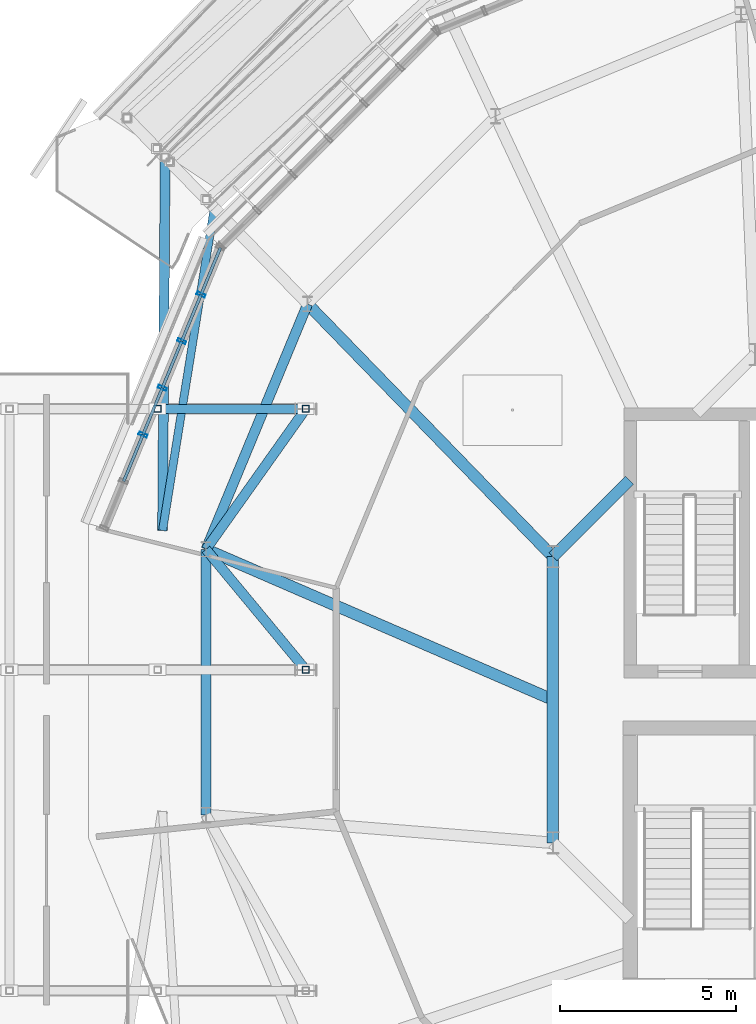
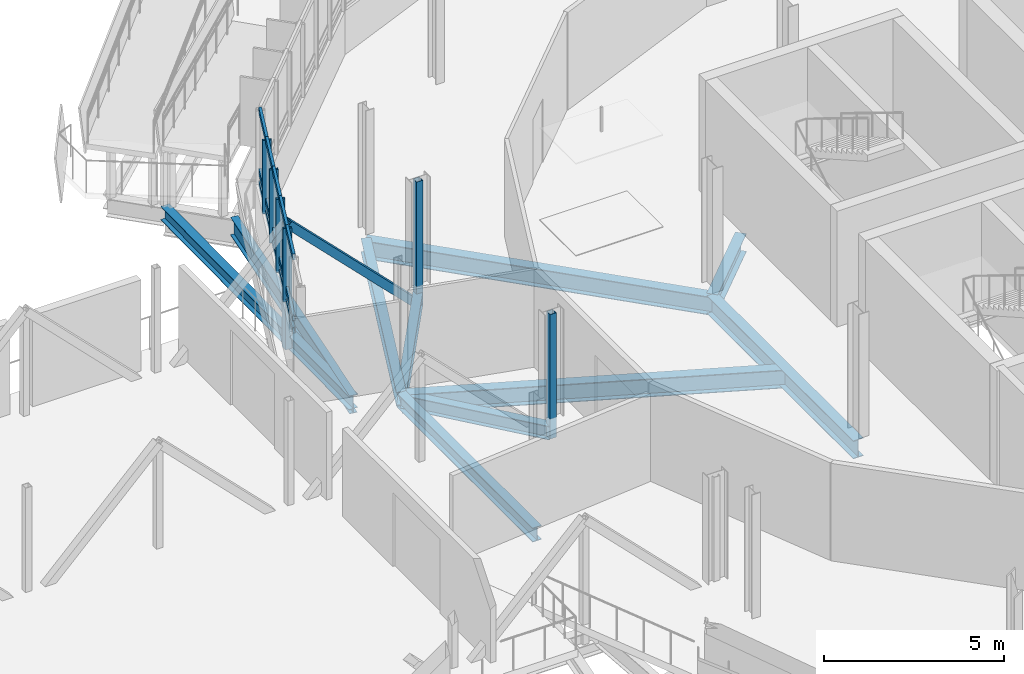
# One storey, part 43 of 107: 23 members, 10 beams, 1 element without a shape of its own.
"""IFC4 building model written with IfcOpenShell, lengths in metres."""

from ifc_helpers import new_model, si_unit, derived_unit, direction, frame, origin, origin_2d, place, context, subcontext, project, spatial, hollow_rectangle, i_section, extrude, material, layer, layer_set, material_profile, profile_set, type_object, element, aggregate, save


model = new_model("IFC4")

# Units and contexts
model_context = context("Model", 3, precision=1e-05, world=origin(), true_north=direction((0.0, 1.0)))
body_context = subcontext(model_context, "Body", "Model", "MODEL_VIEW")
ifc_project = project(units=[si_unit("LENGTHUNIT", "METRE"), si_unit("AREAUNIT", "SQUARE_METRE"), si_unit("VOLUMEUNIT", "CUBIC_METRE"), si_unit("PLANEANGLEUNIT", "RADIAN"), si_unit("MASSUNIT", "GRAM", prefix="KILO"), derived_unit("THERMALTRANSMITTANCEUNIT", [(si_unit("MASSUNIT", "GRAM", prefix="KILO"), 1), (si_unit("TIMEUNIT", "SECOND"), -3), (si_unit("THERMODYNAMICTEMPERATUREUNIT", "KELVIN"), -1)])], contexts=[model_context])

# Site, building, storey
site_placement = place(None, origin())
site = spatial("IfcSite", under=ifc_project, at=site_placement, CompositionType="ELEMENT")
building_placement = place(site_placement, origin())
building = spatial("IfcBuilding", under=site, at=building_placement, Name="Makaiwela Harbour Ferry Terminal", CompositionType="ELEMENT")
storey_placement = place(building_placement, frame((0.0, 0.0, 9.60009765625)))
storey = spatial("IfcBuildingStorey", under=building, at=storey_placement, Name="L02", CompositionType="ELEMENT", Elevation=9.60009765625)

# Curtain wall, members
ifc_material_1 = material(Name="Marine anodised aluminium 6063-T6", Category="aluminium")
ifc_layer = layer(ifc_material_1, 0.199951171875)
ifc_layer_set = layer_set([ifc_layer], Name="Marine anodised aluminium 6063-T6")
curtain_wall_type = type_object("IfcCurtainWallType", Name="ENV-CW-04", PredefinedType="USERDEFINED", material=ifc_layer_set)
curtain_wall_placement = place(storey_placement, origin())
curtain_wall = element("IfcCurtainWall", 1, at=curtain_wall_placement, inside=storey, type_object=curtain_wall_type, Name="Unitised Curtain Wall CWA-024", ObjectType="UNITIZED CURTAIN WALL", PredefinedType="USERDEFINED")
ifc_material_profile_1 = material_profile(ifc_material_1, hollow_rectangle(XDim=0.0849609375, YDim=0.25, WallThickness=0.0048828125, at=origin_2d()), Name="CWM-250X85")
ifc_profile_set_1 = profile_set([ifc_material_profile_1], Name="Marine anodised aluminium 6063-T6")
member_type_1 = type_object("IfcMemberType", Name="CW-MUL-250", PredefinedType="MULLION", material=ifc_profile_set_1)
member_1_placement = place(storey_placement, frame((18.03125, 79.09130859375, 1.47998046875), z_axis=(0.0, 0.0, 1.0), x_axis=(0.382683432365, 0.923879532511, 0.0)))
member_1 = element("IfcMember", 2, at=member_1_placement, type_object=member_type_1, Name="Curtain Wall Mullion CWA-024-2", PredefinedType="MULLION", context=body_context, shape_type="SweptSolid", body=[
    extrude(hollow_rectangle(XDim=0.0849609375, YDim=0.25, WallThickness=0.0048828125, at=origin_2d()), origin(), (0.0, 0.0, 1.0), 2.47998046875),
])
member_2_placement = place(storey_placement, frame((17.482666015625, 77.766845703125, 1.47998046875), z_axis=(0.0, 0.0, 1.0), x_axis=(0.382683432365, 0.923879532511, 0.0)))
member_2 = element("IfcMember", 3, at=member_2_placement, type_object=member_type_1, Name="Curtain Wall Mullion CWA-024-3", PredefinedType="MULLION", context=body_context, shape_type="SweptSolid", body=[
    extrude(hollow_rectangle(XDim=0.0849609375, YDim=0.25, WallThickness=0.0048828125, at=origin_2d()), origin(), (0.0, 0.0, 1.0), 2.47998046875),
])
member_3_placement = place(storey_placement, frame((16.93408203125, 76.4423828125, 1.47998046875), z_axis=(0.0, 0.0, 1.0), x_axis=(0.382683432365, 0.923879532511, 0.0)))
member_3 = element("IfcMember", 4, at=member_3_placement, type_object=member_type_1, Name="Curtain Wall Mullion CWA-024-4", PredefinedType="MULLION", context=body_context, shape_type="SweptSolid", body=[
    extrude(hollow_rectangle(XDim=0.0849609375, YDim=0.25, WallThickness=0.0048828125, at=origin_2d()), origin(), (0.0, 0.0, 1.0), 2.47998046875),
])
member_4_placement = place(storey_placement, frame((16.385498046875, 75.117919921875, 1.47998046875), z_axis=(0.0, 0.0, 1.0), x_axis=(0.382683432365, 0.923879532511, 0.0)))
member_4 = element("IfcMember", 5, at=member_4_placement, type_object=member_type_1, Name="Curtain Wall Mullion CWA-024-5", PredefinedType="MULLION", context=body_context, shape_type="SweptSolid", body=[
    extrude(hollow_rectangle(XDim=0.0849609375, YDim=0.25, WallThickness=0.0048828125, at=origin_2d()), origin(), (0.0, 0.0, 1.0), 2.47998046875),
])
ifc_material_profile_2 = material_profile(ifc_material_1, hollow_rectangle(XDim=0.0849609375, YDim=0.199951171875, WallThickness=0.0048828125, at=origin_2d()), Name="CWT-200X85")
ifc_profile_set_2 = profile_set([ifc_material_profile_2], Name="Marine anodised aluminium 6063-T6")
member_type_2 = type_object("IfcMemberType", Name="CW-TRN-200", PredefinedType="USERDEFINED", material=ifc_profile_set_2)
member_5_placement = place(storey_placement, frame((18.579833984375, 80.416015625, 1.47998046875), z_axis=(-0.382607449574, -0.923911001953, 0.0), x_axis=(0.923911001953, -0.382607449574, 0.0)))
member_5 = element("IfcMember", 6, at=member_5_placement, type_object=member_type_2, Name="Curtain Wall Transom CWA-024-1-1", ObjectType="TRANSOM", PredefinedType="USERDEFINED", context=body_context, shape_type="SweptSolid", body=[
    extrude(hollow_rectangle(XDim=0.0849609375, YDim=0.199951171875, WallThickness=0.0048828125, at=origin_2d()), origin(), (0.0, 0.0, 1.0), 1.433837890625),
])
member_6_placement = place(storey_placement, frame((18.579833984375, 80.416015625, 1.89990234375), z_axis=(-0.382607449574, -0.923911001953, 0.0), x_axis=(0.923911001953, -0.382607449574, 0.0)))
member_6 = element("IfcMember", 7, at=member_6_placement, type_object=member_type_2, Name="Curtain Wall Transom CWA-024-1-2", ObjectType="TRANSOM", PredefinedType="USERDEFINED", context=body_context, shape_type="SweptSolid", body=[
    extrude(hollow_rectangle(XDim=0.0849609375, YDim=0.199951171875, WallThickness=0.0048828125, at=origin_2d()), origin(), (0.0, 0.0, 1.0), 1.433837890625),
])
member_7_placement = place(storey_placement, frame((18.579833984375, 80.416015625, 3.9599609375), z_axis=(-0.382607449574, -0.923911001953, 0.0), x_axis=(0.923911001953, -0.382607449574, 0.0)))
member_7 = element("IfcMember", 8, at=member_7_placement, type_object=member_type_2, Name="Curtain Wall Transom CWA-024-1-3", ObjectType="TRANSOM", PredefinedType="USERDEFINED", context=body_context, shape_type="SweptSolid", body=[
    extrude(hollow_rectangle(XDim=0.0849609375, YDim=0.199951171875, WallThickness=0.0048828125, at=origin_2d()), origin(), (0.0, 0.0, 1.0), 1.433837890625),
])
member_8_placement = place(storey_placement, frame((18.03125, 79.09130859375, 1.47998046875), z_axis=(-0.382667649558, -0.923886069806, 0.0), x_axis=(0.923886069806, -0.382667649558, 0.0)))
member_8 = element("IfcMember", 9, at=member_8_placement, type_object=member_type_2, Name="Curtain Wall Transom CWA-024-2-1", ObjectType="TRANSOM", PredefinedType="USERDEFINED", context=body_context, shape_type="SweptSolid", body=[
    extrude(hollow_rectangle(XDim=0.0849609375, YDim=0.199951171875, WallThickness=0.0048828125, at=origin_2d()), origin(), (0.0, 0.0, 1.0), 1.43359375),
])
member_9_placement = place(storey_placement, frame((18.03125, 79.09130859375, 1.89990234375), z_axis=(-0.382667649558, -0.923886069806, 0.0), x_axis=(0.923886069806, -0.382667649558, 0.0)))
member_9 = element("IfcMember", 10, at=member_9_placement, type_object=member_type_2, Name="Curtain Wall Transom CWA-024-2-2", ObjectType="TRANSOM", PredefinedType="USERDEFINED", context=body_context, shape_type="SweptSolid", body=[
    extrude(hollow_rectangle(XDim=0.0849609375, YDim=0.199951171875, WallThickness=0.0048828125, at=origin_2d()), origin(), (0.0, 0.0, 1.0), 1.43359375),
])
member_10_placement = place(storey_placement, frame((18.03125, 79.09130859375, 3.9599609375), z_axis=(-0.382667649558, -0.923886069806, 0.0), x_axis=(0.923886069806, -0.382667649558, 0.0)))
member_10 = element("IfcMember", 11, at=member_10_placement, type_object=member_type_2, Name="Curtain Wall Transom CWA-024-2-3", ObjectType="TRANSOM", PredefinedType="USERDEFINED", context=body_context, shape_type="SweptSolid", body=[
    extrude(hollow_rectangle(XDim=0.0849609375, YDim=0.199951171875, WallThickness=0.0048828125, at=origin_2d()), origin(), (0.0, 0.0, 1.0), 1.43359375),
])
member_11_placement = place(storey_placement, frame((17.482666015625, 77.766845703125, 1.47998046875), z_axis=(-0.382667649558, -0.923886069806, 0.0), x_axis=(0.923886069806, -0.382667649558, 0.0)))
member_11 = element("IfcMember", 12, at=member_11_placement, type_object=member_type_2, Name="Curtain Wall Transom CWA-024-3-1", ObjectType="TRANSOM", PredefinedType="USERDEFINED", context=body_context, shape_type="SweptSolid", body=[
    extrude(hollow_rectangle(XDim=0.0849609375, YDim=0.199951171875, WallThickness=0.0048828125, at=origin_2d()), origin(), (0.0, 0.0, 1.0), 1.43359375),
])
member_12_placement = place(storey_placement, frame((17.482666015625, 77.766845703125, 1.89990234375), z_axis=(-0.382667649558, -0.923886069806, 0.0), x_axis=(0.923886069806, -0.382667649558, 0.0)))
member_12 = element("IfcMember", 13, at=member_12_placement, type_object=member_type_2, Name="Curtain Wall Transom CWA-024-3-2", ObjectType="TRANSOM", PredefinedType="USERDEFINED", context=body_context, shape_type="SweptSolid", body=[
    extrude(hollow_rectangle(XDim=0.0849609375, YDim=0.199951171875, WallThickness=0.0048828125, at=origin_2d()), origin(), (0.0, 0.0, 1.0), 1.43359375),
])
member_13_placement = place(storey_placement, frame((17.482666015625, 77.766845703125, 3.9599609375), z_axis=(-0.382667649558, -0.923886069806, 0.0), x_axis=(0.923886069806, -0.382667649558, 0.0)))
member_13 = element("IfcMember", 14, at=member_13_placement, type_object=member_type_2, Name="Curtain Wall Transom CWA-024-3-3", ObjectType="TRANSOM", PredefinedType="USERDEFINED", context=body_context, shape_type="SweptSolid", body=[
    extrude(hollow_rectangle(XDim=0.0849609375, YDim=0.199951171875, WallThickness=0.0048828125, at=origin_2d()), origin(), (0.0, 0.0, 1.0), 1.43359375),
])
member_14_placement = place(storey_placement, frame((16.93408203125, 76.4423828125, 1.47998046875), z_axis=(-0.382667649558, -0.923886069806, 0.0), x_axis=(0.923886069806, -0.382667649558, 0.0)))
member_14 = element("IfcMember", 15, at=member_14_placement, type_object=member_type_2, Name="Curtain Wall Transom CWA-024-4-1", ObjectType="TRANSOM", PredefinedType="USERDEFINED", context=body_context, shape_type="SweptSolid", body=[
    extrude(hollow_rectangle(XDim=0.0849609375, YDim=0.199951171875, WallThickness=0.0048828125, at=origin_2d()), origin(), (0.0, 0.0, 1.0), 1.43359375),
])
member_15_placement = place(storey_placement, frame((16.93408203125, 76.4423828125, 1.89990234375), z_axis=(-0.382667649558, -0.923886069806, 0.0), x_axis=(0.923886069806, -0.382667649558, 0.0)))
member_15 = element("IfcMember", 16, at=member_15_placement, type_object=member_type_2, Name="Curtain Wall Transom CWA-024-4-2", ObjectType="TRANSOM", PredefinedType="USERDEFINED", context=body_context, shape_type="SweptSolid", body=[
    extrude(hollow_rectangle(XDim=0.0849609375, YDim=0.199951171875, WallThickness=0.0048828125, at=origin_2d()), origin(), (0.0, 0.0, 1.0), 1.43359375),
])
member_16_placement = place(storey_placement, frame((16.93408203125, 76.4423828125, 3.9599609375), z_axis=(-0.382667649558, -0.923886069806, 0.0), x_axis=(0.923886069806, -0.382667649558, 0.0)))
member_16 = element("IfcMember", 17, at=member_16_placement, type_object=member_type_2, Name="Curtain Wall Transom CWA-024-4-3", ObjectType="TRANSOM", PredefinedType="USERDEFINED", context=body_context, shape_type="SweptSolid", body=[
    extrude(hollow_rectangle(XDim=0.0849609375, YDim=0.199951171875, WallThickness=0.0048828125, at=origin_2d()), origin(), (0.0, 0.0, 1.0), 1.43359375),
])
member_17_placement = place(storey_placement, frame((16.385498046875, 75.117919921875, 1.47998046875), z_axis=(-0.382752783894, -0.923850803118, 0.0), x_axis=(0.923850803118, -0.382752783894, 0.0)))
member_17 = element("IfcMember", 18, at=member_17_placement, type_object=member_type_2, Name="Curtain Wall Transom CWA-024-5-1", ObjectType="TRANSOM", PredefinedType="USERDEFINED", context=body_context, shape_type="SweptSolid", body=[
    extrude(hollow_rectangle(XDim=0.0849609375, YDim=0.199951171875, WallThickness=0.0048828125, at=origin_2d()), origin(), (0.0, 0.0, 1.0), 1.433837890625),
])
member_18_placement = place(storey_placement, frame((16.385498046875, 75.117919921875, 1.89990234375), z_axis=(-0.382752783894, -0.923850803118, 0.0), x_axis=(0.923850803118, -0.382752783894, 0.0)))
member_18 = element("IfcMember", 19, at=member_18_placement, type_object=member_type_2, Name="Curtain Wall Transom CWA-024-5-2", ObjectType="TRANSOM", PredefinedType="USERDEFINED", context=body_context, shape_type="SweptSolid", body=[
    extrude(hollow_rectangle(XDim=0.0849609375, YDim=0.199951171875, WallThickness=0.0048828125, at=origin_2d()), origin(), (0.0, 0.0, 1.0), 1.433837890625),
])
member_19_placement = place(storey_placement, frame((16.385498046875, 75.117919921875, 3.9599609375), z_axis=(-0.382752783894, -0.923850803118, 0.0), x_axis=(0.923850803118, -0.382752783894, 0.0)))
member_19 = element("IfcMember", 20, at=member_19_placement, type_object=member_type_2, Name="Curtain Wall Transom CWA-024-5-3", ObjectType="TRANSOM", PredefinedType="USERDEFINED", context=body_context, shape_type="SweptSolid", body=[
    extrude(hollow_rectangle(XDim=0.0849609375, YDim=0.199951171875, WallThickness=0.0048828125, at=origin_2d()), origin(), (0.0, 0.0, 1.0), 1.433837890625),
])
aggregate(curtain_wall, [member_1, member_2, member_3, member_4, member_5, member_6, member_7, member_8, member_9, member_10, member_11, member_12, member_13, member_14, member_15, member_16, member_17, member_18, member_19])

# Beams
ifc_material_2 = material(Name="Steel ASTM A992 Grade 50", Category="steel")
ifc_material_profile_3 = material_profile(ifc_material_2, i_section(OverallWidth=0.280029296875, OverallDepth=0.462890625, WebThickness=0.0107421875, FlangeThickness=0.017333984375, at=origin_2d()), Name="W18X76")
ifc_profile_set_3 = profile_set([ifc_material_profile_3], Name="Steel ASTM A992 Grade 50")
beam_type_1 = type_object("IfcBeamType", Name="STR-BM-W18X76", PredefinedType="BEAM", material=ifc_profile_set_3)
beam_1_placement = place(storey_placement, frame((17.013427734375, 82.98486328125, -0.49169921875), z_axis=(-0.006941714661, -0.999975906009, 0.0), x_axis=(0.999975906009, -0.006941714661, 0.0)))
element("IfcBeam", 21, at=beam_1_placement, inside=storey, type_object=beam_type_1, Name="Drum stage2 tie girder 211", PredefinedType="BEAM", context=body_context, shape_type="SweptSolid", body=[
    extrude(i_section(OverallWidth=0.280029296875, OverallDepth=0.462890625, WebThickness=0.0107421875, FlangeThickness=0.017333984375, at=origin_2d()), origin(), (0.0, 0.0, 1.0), 10.586181640625),
])
beam_2_placement = place(storey_placement, frame((21.0, 68.449951171875, -0.49169921875), z_axis=(-0.637923666825, 0.770099600899, 0.0), x_axis=(-0.770099600899, -0.637923666825, 0.0)))
element("IfcBeam", 22, at=beam_2_placement, inside=storey, type_object=beam_type_1, Name="West bridge drum tie 239", PredefinedType="BEAM", context=body_context, shape_type="SweptSolid", body=[
    extrude(i_section(OverallWidth=0.280029296875, OverallDepth=0.462890625, WebThickness=0.0107421875, FlangeThickness=0.017333984375, at=origin_2d()), origin(), (0.0, 0.0, 1.0), 4.434814453125),
])
beam_3_placement = place(storey_placement, frame((21.0, 75.85009765625, -0.49169921875), z_axis=(-0.578901326303, -0.815397605101, 0.0), x_axis=(0.815397605101, -0.578901326303, 0.0)))
element("IfcBeam", 23, at=beam_3_placement, inside=storey, type_object=beam_type_1, Name="West bridge drum tie 240", PredefinedType="BEAM", context=body_context, shape_type="SweptSolid", body=[
    extrude(i_section(OverallWidth=0.280029296875, OverallDepth=0.462890625, WebThickness=0.0107421875, FlangeThickness=0.017333984375, at=origin_2d()), origin(), (0.0, 0.0, 1.0), 4.886962890625),
])

# Member
ifc_material_3 = material(Name="Steel ASTM A500 Grade C", Category="steel")
ifc_material_profile_4 = material_profile(ifc_material_3, hollow_rectangle(XDim=0.25390625, YDim=0.25390625, WallThickness=0.0146484375, at=origin_2d()), Name="HSS10X10X5/8")
ifc_profile_set_4 = profile_set([ifc_material_profile_4], Name="Steel ASTM A500 Grade C")
member_type_3 = type_object("IfcMemberType", Name="STR-BRC-HSS10", PredefinedType="BRACE", material=ifc_profile_set_4)
member_20_placement = place(storey_placement, frame((21.0, 75.85009765625, -0.685546875), z_axis=(-0.705423542875, 0.0, 0.708786022124), x_axis=(0.0, -1.0, 0.0)))
element("IfcMember", 24, at=member_20_placement, inside=storey, type_object=member_type_3, Name="Structural Member BR-01", PredefinedType="BRACE", context=body_context, shape_type="SweptSolid", body=[
    extrude(hollow_rectangle(XDim=0.25390625, YDim=0.25390625, WallThickness=0.0146484375, at=origin_2d()), origin(), (0.0, 0.0, 1.0), 5.953857421875),
])

# Beams
ifc_material_profile_5 = material_profile(ifc_material_2, i_section(OverallWidth=0.324951171875, OverallDepth=0.615966796875, WebThickness=0.013916015625, FlangeThickness=0.021484375, at=origin_2d()), Name="W24X117")
ifc_profile_set_5 = profile_set([ifc_material_profile_5], Name="Steel ASTM A992 Grade 50")
beam_type_2 = type_object("IfcBeamType", Name="STR-GRD-W24X117", PredefinedType="USERDEFINED", material=ifc_profile_set_5)
beam_4_placement = place(storey_placement, frame((30.179931640625, 73.82958984375, -0.568115234375), z_axis=(-0.707106781187, -0.707106781187, 0.0), x_axis=(0.707106781187, -0.707106781187, 0.0)))
element("IfcBeam", 25, at=beam_4_placement, inside=storey, type_object=beam_type_2, Name="Drum inner ring girder 125", ObjectType="GIRDER", PredefinedType="USERDEFINED", context=body_context, shape_type="SweptSolid", body=[
    extrude(i_section(OverallWidth=0.324951171875, OverallDepth=0.615966796875, WebThickness=0.013916015625, FlangeThickness=0.021484375, at=origin_2d()), origin(), (0.0, 0.0, 1.0), 3.0732421875),
])
beam_5_placement = place(storey_placement, frame((28.0068359375, 71.656494140625, -0.568115234375), z_axis=(0.0, -1.0, 0.0), x_axis=(1.0, 0.0, 0.0)))
element("IfcBeam", 26, at=beam_5_placement, inside=storey, type_object=beam_type_2, Name="Drum inner ring girder 126", ObjectType="GIRDER", PredefinedType="USERDEFINED", context=body_context, shape_type="SweptSolid", body=[
    extrude(i_section(OverallWidth=0.324951171875, OverallDepth=0.615966796875, WebThickness=0.013916015625, FlangeThickness=0.021484375, at=origin_2d()), origin(), (0.0, 0.0, 1.0), 8.11279296875),
])
beam_6_placement = place(storey_placement, frame((28.0068359375, 71.656494140625, -0.568115234375), z_axis=(-0.696428721194, 0.717625972423, 0.0), x_axis=(-0.717625972423, -0.696428721194, 0.0)))
element("IfcBeam", 27, at=beam_6_placement, inside=storey, type_object=beam_type_2, Name="Drum radial girder 169", ObjectType="GIRDER", PredefinedType="USERDEFINED", context=body_context, shape_type="SweptSolid", body=[
    extrude(i_section(OverallWidth=0.324951171875, OverallDepth=0.615966796875, WebThickness=0.013916015625, FlangeThickness=0.021484375, at=origin_2d()), origin(), (0.0, 0.0, 1.0), 9.98583984375),
])
beam_7_placement = place(storey_placement, frame((28.0068359375, 67.60009765625, -0.568115234375), z_axis=(-0.91745700874, 0.397834937021, 0.0), x_axis=(-0.397834937021, -0.91745700874, 0.0)))
element("IfcBeam", 28, at=beam_7_placement, inside=storey, type_object=beam_type_2, Name="Drum radial girder 173", ObjectType="GIRDER", PredefinedType="USERDEFINED", context=body_context, shape_type="SweptSolid", body=[
    extrude(i_section(OverallWidth=0.324951171875, OverallDepth=0.615966796875, WebThickness=0.013916015625, FlangeThickness=0.021484375, at=origin_2d()), origin(), (0.0, 0.0, 1.0), 10.720947265625),
])
ifc_material_profile_6 = material_profile(ifc_material_2, i_section(OverallWidth=0.22900390625, OverallDepth=0.612060546875, WebThickness=0.011962890625, FlangeThickness=0.01953125, at=origin_2d()), Name="W24X84")
ifc_profile_set_6 = profile_set([ifc_material_profile_6], Name="Steel ASTM A992 Grade 50")
beam_type_3 = type_object("IfcBeamType", Name="STR-GRD-W24X84", PredefinedType="USERDEFINED", material=ifc_profile_set_6)
beam_8_placement = place(storey_placement, frame((18.40625, 81.549560546875, -0.566162109375), z_axis=(-0.15822270298, -0.987403451615, 0.0), x_axis=(0.987403451615, -0.15822270298, 0.0)))
element("IfcBeam", 29, at=beam_8_placement, inside=storey, type_object=beam_type_3, Name="Drum overhang tie girder 210", ObjectType="GIRDER", PredefinedType="USERDEFINED", context=body_context, shape_type="SweptSolid", body=[
    extrude(i_section(OverallWidth=0.22900390625, OverallDepth=0.612060546875, WebThickness=0.011962890625, FlangeThickness=0.01953125, at=origin_2d()), origin(), (0.0, 0.0, 1.0), 9.267333984375),
])

# Members
ifc_material_profile_7 = material_profile(ifc_material_3, hollow_rectangle(XDim=0.202880859375, YDim=0.202880859375, WallThickness=0.01171875, at=origin_2d()), Name="HSS8X8X1/2")
ifc_profile_set_7 = profile_set([ifc_material_profile_7], Name="Steel ASTM A500 Grade C")
member_type_4 = type_object("IfcMemberType", Name="STR-PST-HSS8", PredefinedType="POST", material=ifc_profile_set_7)
for number, where, z_axis, x_axis, name in (
    (30, (21.0, 68.449951171875, -0.685546875), (0.0, 0.0, 1.0), (1.0, 0.0, 0.0), "Structural Member PS-01"),
    (31, (21.0, 75.85009765625, -0.685546875), (0.0, 0.0, 1.0), (1.0, 0.0, 0.0), "Structural Member PS-01"),
    (32, (16.800048828125, 75.85009765625, -0.685546875), (0.0, 0.0, 1.0), (1.0, 0.0, 0.0), "Structural Member PS-01"),
):
    element("IfcMember", number, at=place(storey_placement, frame(where, z_axis=z_axis, x_axis=x_axis)), inside=storey, type_object=member_type_4, Name=name, PredefinedType="POST", context=body_context, shape_type="SweptSolid", body=[
        extrude(hollow_rectangle(XDim=0.202880859375, YDim=0.202880859375, WallThickness=0.01171875, at=origin_2d()), origin(), (0.0, 0.0, 1.0), 4.219970703125),
    ])

# Beams
ifc_material_profile_8 = material_profile(ifc_material_2, i_section(OverallWidth=0.283935546875, OverallDepth=0.47607421875, WebThickness=0.014892578125, FlangeThickness=0.02392578125, at=origin_2d()), Name="W18X106")
ifc_profile_set_8 = profile_set([ifc_material_profile_8], Name="Steel ASTM A992 Grade 50")
beam_type_4 = type_object("IfcBeamType", Name="STR-SPN-W18X106", PredefinedType="SPANDREL", material=ifc_profile_set_8)
for number, where, z_axis, x_axis, name in (
    (33, (21.052490234375, 78.822509765625, -0.498046875), (-0.382660079618, -0.92388920519, 0.0), (0.92388920519, -0.382660079618, 0.0), "Drum column ring girder 138"),
    (34, (18.1708984375, 71.865234375, -0.498046875), (0.0, -1.0, 0.0), (1.0, 0.0, 0.0), "Drum column ring girder 139"),
):
    element("IfcBeam", number, at=place(storey_placement, frame(where, z_axis=z_axis, x_axis=x_axis)), inside=storey, type_object=beam_type_4, Name=name, PredefinedType="SPANDREL", context=body_context, shape_type="SweptSolid", body=[
        extrude(i_section(OverallWidth=0.283935546875, OverallDepth=0.47607421875, WebThickness=0.014892578125, FlangeThickness=0.02392578125, at=origin_2d()), origin(), (0.0, 0.0, 1.0), 7.530517578125),
    ])

save(model, "model.ifc")
